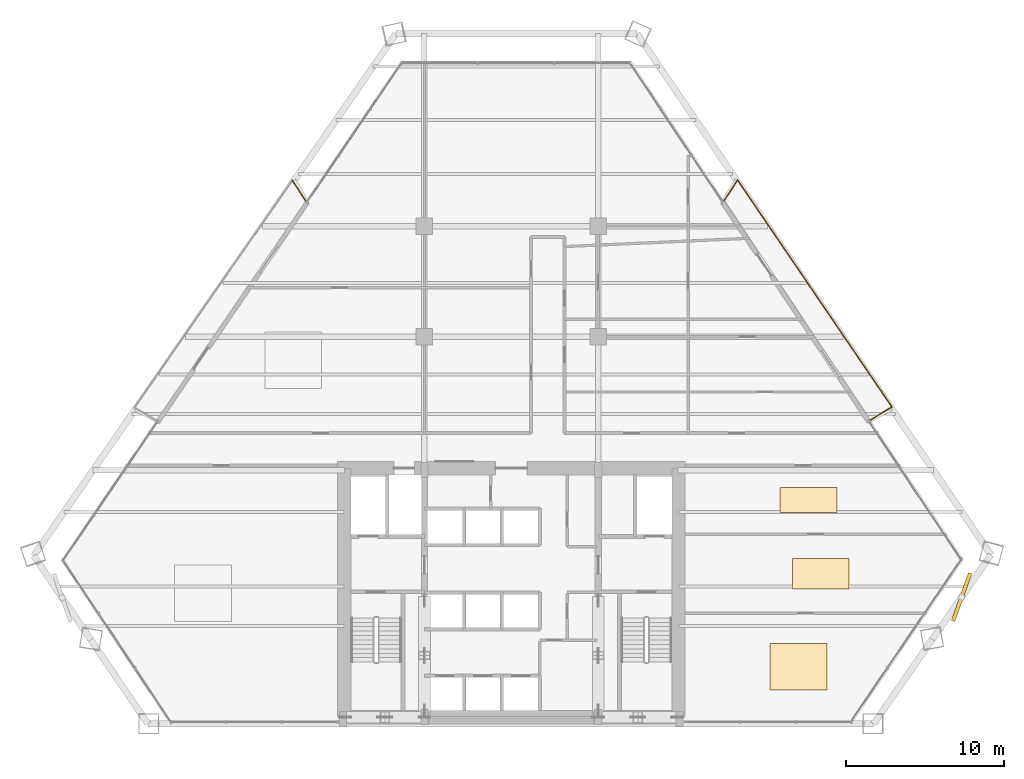
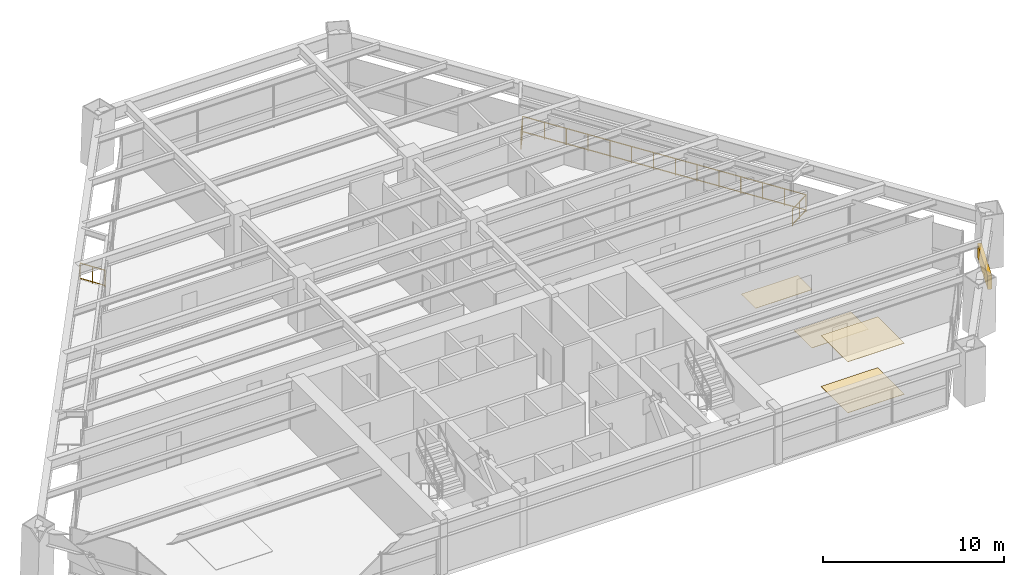
# One storey, part 14 of 14: 4 coverings, 4 railings, 1 shading device.
"""IFC4 building model written with IfcOpenShell, lengths in metres."""

from ifc_helpers import new_model, si_unit, direction, frame, origin, origin_2d, place, context, subcontext, project, spatial, rectangle, extrude, source, transform, mapped, material, layer, layer_set, type_object, type_shapes, element, save


model = new_model("IFC4")

# Units and contexts
model_context = context("Model", 3, precision=1e-05, world=origin(), true_north=direction((0.0, 1.0)))
body_context = subcontext(model_context, "Body", "Model", "MODEL_VIEW")
ifc_project = project(units=[si_unit("LENGTHUNIT", "METRE"), si_unit("AREAUNIT", "SQUARE_METRE"), si_unit("VOLUMEUNIT", "CUBIC_METRE"), si_unit("PLANEANGLEUNIT", "RADIAN"), si_unit("MASSUNIT", "GRAM", prefix="KILO")], contexts=[model_context])

# Site, building, storey
site_placement = place(None, origin())
site = spatial("IfcSite", under=ifc_project, at=site_placement, CompositionType="ELEMENT")
building_placement = place(site_placement, origin())
building = spatial("IfcBuilding", under=site, at=building_placement, Name="Varnakhor Terracotta Tower", CompositionType="ELEMENT")
storey_placement = place(building_placement, frame((0.0, 0.0, 53.39990234375)))
storey = spatial("IfcBuildingStorey", under=building, at=storey_placement, Name="L12", CompositionType="ELEMENT", Elevation=53.39990234375)

# Railings
ifc_material_1 = material(Name="Stainless Steel & Laminated Glass Guardrail", Category="steel")
railing_type = type_object("IfcRailingType", Name="RLG-LOGGIA-GUARD-1150", PredefinedType="GUARDRAIL", material=ifc_material_1)
railing_1_placement = place(storey_placement, frame((13.4619140625, 33.10595703125, 0.0)))
element("IfcRailing", 1, at=railing_1_placement, inside=storey, type_object=railing_type, Name="L12 E Loggia Glass Guard 1", PredefinedType="GUARDRAIL", context=body_context, shape_type="SweptSolid", body=[
    extrude(rectangle(XDim=0.048095703125, YDim=0.048095703125, at=origin_2d()), frame((0.0, 0.0, 1.1259765625), z_axis=(0.547410589215, 0.836864174652, 0.0), x_axis=(-0.836864174652, 0.547410589215, 0.0)), (0.0, 0.0, 1.0), 1.55029296875),
    extrude(rectangle(XDim=0.048095703125, YDim=0.048095703125, at=origin_2d()), frame((0.0, 0.0, 0.10009765625), z_axis=(0.547410589215, 0.836864174652, 0.0), x_axis=(-0.836864174652, 0.547410589215, 0.0)), (0.0, 0.0, 1.0), 1.55029296875),
    extrude(rectangle(XDim=0.0419921875, YDim=0.0419921875, at=origin_2d()), origin(), (0.0, 0.0, 1.0), 1.101806640625),
    extrude(rectangle(XDim=0.0419921875, YDim=0.0419921875, at=origin_2d()), frame((0.42431640625, 0.648681640625, 0.0)), (0.0, 0.0, 1.0), 1.101806640625),
    extrude(rectangle(XDim=0.0419921875, YDim=0.0419921875, at=origin_2d()), frame((0.8486328125, 1.29736328125, 0.0)), (0.0, 0.0, 1.0), 1.101806640625),
])
railing_2_placement = place(storey_placement, frame((14.310546875, 34.4033203125, 0.0)))
element("IfcRailing", 2, at=railing_2_placement, inside=storey, type_object=railing_type, Name="L12 E Loggia Glass Guard 2", PredefinedType="GUARDRAIL", context=body_context, shape_type="SweptSolid", body=[
    extrude(rectangle(XDim=0.048095703125, YDim=0.048095703125, at=origin_2d()), frame((0.0, 0.0, 1.1259765625), z_axis=(0.562802019674, -0.826591729121, 0.0), x_axis=(0.826591729121, 0.562802019674, 0.0)), (0.0, 0.0, 1.0), 17.356201171875),
    extrude(rectangle(XDim=0.048095703125, YDim=0.048095703125, at=origin_2d()), frame((0.0, 0.0, 0.10009765625), z_axis=(0.562802019674, -0.826591729121, 0.0), x_axis=(0.826591729121, 0.562802019674, 0.0)), (0.0, 0.0, 1.0), 17.356201171875),
    extrude(rectangle(XDim=0.0419921875, YDim=0.0419921875, at=origin_2d()), origin(), (0.0, 0.0, 1.0), 1.101806640625),
    extrude(rectangle(XDim=0.0419921875, YDim=0.0419921875, at=origin_2d()), frame((0.75146484375, -1.103515625, 0.0)), (0.0, 0.0, 1.0), 1.101806640625),
    extrude(rectangle(XDim=0.0419921875, YDim=0.0419921875, at=origin_2d()), frame((1.502685546875, -2.20703125, 0.0)), (0.0, 0.0, 1.0), 1.101806640625),
    extrude(rectangle(XDim=0.0419921875, YDim=0.0419921875, at=origin_2d()), frame((2.254150390625, -3.310791015625, 0.0)), (0.0, 0.0, 1.0), 1.101806640625),
    extrude(rectangle(XDim=0.0419921875, YDim=0.0419921875, at=origin_2d()), frame((3.005615234375, -4.414306640625, 0.0)), (0.0, 0.0, 1.0), 1.101806640625),
    extrude(rectangle(XDim=0.0419921875, YDim=0.0419921875, at=origin_2d()), frame((3.7568359375, -5.517822265625, 0.0)), (0.0, 0.0, 1.0), 1.101806640625),
    extrude(rectangle(XDim=0.0419921875, YDim=0.0419921875, at=origin_2d()), frame((4.50830078125, -6.621337890625, 0.0)), (0.0, 0.0, 1.0), 1.101806640625),
    extrude(rectangle(XDim=0.0419921875, YDim=0.0419921875, at=origin_2d()), frame((5.259765625, -7.72509765625, 0.0)), (0.0, 0.0, 1.0), 1.101806640625),
    extrude(rectangle(XDim=0.0419921875, YDim=0.0419921875, at=origin_2d()), frame((6.01123046875, -8.82861328125, 0.0)), (0.0, 0.0, 1.0), 1.101806640625),
    extrude(rectangle(XDim=0.0419921875, YDim=0.0419921875, at=origin_2d()), frame((6.762451171875, -9.93212890625, 0.0)), (0.0, 0.0, 1.0), 1.101806640625),
    extrude(rectangle(XDim=0.0419921875, YDim=0.0419921875, at=origin_2d()), frame((7.513916015625, -11.03564453125, 0.0)), (0.0, 0.0, 1.0), 1.101806640625),
    extrude(rectangle(XDim=0.0419921875, YDim=0.0419921875, at=origin_2d()), frame((8.265380859375, -12.139404296875, 0.0)), (0.0, 0.0, 1.0), 1.101806640625),
    extrude(rectangle(XDim=0.0419921875, YDim=0.0419921875, at=origin_2d()), frame((9.0166015625, -13.242919921875, 0.0)), (0.0, 0.0, 1.0), 1.101806640625),
    extrude(rectangle(XDim=0.0419921875, YDim=0.0419921875, at=origin_2d()), frame((9.76806640625, -14.346435546875, 0.0)), (0.0, 0.0, 1.0), 1.101806640625),
])
railing_3_placement = place(storey_placement, frame((24.07861328125, 20.056884765625, 0.0)))
element("IfcRailing", 3, at=railing_3_placement, inside=storey, type_object=railing_type, Name="L12 E Loggia Glass Guard 3", PredefinedType="GUARDRAIL", context=body_context, shape_type="SweptSolid", body=[
    extrude(rectangle(XDim=0.048095703125, YDim=0.048095703125, at=origin_2d()), frame((0.0, 0.0, 1.1259765625), z_axis=(-0.853546880214, -0.521016048963, 0.0), x_axis=(0.521016048963, -0.853546880214, 0.0)), (0.0, 0.0, 1.0), 1.59326171875),
    extrude(rectangle(XDim=0.048095703125, YDim=0.048095703125, at=origin_2d()), frame((0.0, 0.0, 0.10009765625), z_axis=(-0.853546880214, -0.521016048963, 0.0), x_axis=(0.521016048963, -0.853546880214, 0.0)), (0.0, 0.0, 1.0), 1.59326171875),
    extrude(rectangle(XDim=0.0419921875, YDim=0.0419921875, at=origin_2d()), origin(), (0.0, 0.0, 1.0), 1.101806640625),
    extrude(rectangle(XDim=0.0419921875, YDim=0.0419921875, at=origin_2d()), frame((-0.679931640625, -0.4150390625, 0.0)), (0.0, 0.0, 1.0), 1.101806640625),
    extrude(rectangle(XDim=0.0419921875, YDim=0.0419921875, at=origin_2d()), frame((-1.35986328125, -0.830078125, 0.0)), (0.0, 0.0, 1.0), 1.101806640625),
])
railing_4_placement = place(storey_placement, frame((-13.8623046875, 34.389892578125, 0.0)))
element("IfcRailing", 4, at=railing_4_placement, inside=storey, type_object=railing_type, Name="L12 W Loggia Glass Guard 3", PredefinedType="GUARDRAIL", context=body_context, shape_type="SweptSolid", body=[
    extrude(rectangle(XDim=0.048095703125, YDim=0.048095703125, at=origin_2d()), frame((0.0, 0.0, 1.1259765625), z_axis=(0.547923688441, -0.836528320887, 0.0), x_axis=(0.836528320887, 0.547923688441, 0.0)), (0.0, 0.0, 1.0), 1.550537109375),
    extrude(rectangle(XDim=0.048095703125, YDim=0.048095703125, at=origin_2d()), frame((0.0, 0.0, 0.10009765625), z_axis=(0.547923688441, -0.836528320887, 0.0), x_axis=(0.836528320887, 0.547923688441, 0.0)), (0.0, 0.0, 1.0), 1.550537109375),
    extrude(rectangle(XDim=0.0419921875, YDim=0.0419921875, at=origin_2d()), origin(), (0.0, 0.0, 1.0), 1.101806640625),
    extrude(rectangle(XDim=0.0419921875, YDim=0.0419921875, at=origin_2d()), frame((0.4248046875, -0.6484375, 0.0)), (0.0, 0.0, 1.0), 1.101806640625),
    extrude(rectangle(XDim=0.0419921875, YDim=0.0419921875, at=origin_2d()), frame((0.849609375, -1.297119140625, 0.0)), (0.0, 0.0, 1.0), 1.101806640625),
])

# Shading device
ifc_material_2 = material(Name="Extruded Architectural Terracotta Screen", Category="masonry")
shading_device_type = type_object("IfcShadingDeviceType", Name="TERRACOTTA SOLAR SCREEN E", PredefinedType="USERDEFINED", material=ifc_material_2)
shared_shape_1 = source(origin(), body_context, "Body", "SweptSolid", [
    extrude(rectangle(XDim=3.199951171875, YDim=0.239990234375, at=origin_2d()), origin(), (0.0, 0.0, 1.0), 0.919921875),
])
type_shapes(shading_device_type, [shared_shape_1])
shading_device_placement = place(storey_placement, frame((28.48779296875, 8.02197265625, 1.6181640625), z_axis=(0.0, 0.0, 1.0), x_axis=(0.338031701823, 0.941134723917, 0.0)))
element("IfcShadingDevice", 5, at=shading_device_placement, inside=storey, type_object=shading_device_type, Name="L12 E Terracotta Solar Screen", ObjectType="SCREEN", PredefinedType="USERDEFINED", context=body_context, shape_type="MappedRepresentation", body=[
    mapped(shared_shape_1, transform((0.0, 0.0, 0.0), scale=1.0)),
])

# Coverings
ifc_material_3 = material(Name="Honed Riyadh Limestone Flooring", Category="masonry")
ifc_layer_1 = layer(ifc_material_3, 0.030029296875, Name="Honed Riyadh Limestone Flooring")
ifc_layer_set_1 = layer_set([ifc_layer_1], Name="Honed Riyadh Limestone Flooring")
covering_type_1 = type_object("IfcCoveringType", Name="COV-FLOOR-LIMESTONE", PredefinedType="FLOORING", material=ifc_layer_set_1)
shared_shape_2 = source(origin(), body_context, "Body", "SweptSolid", [
    extrude(rectangle(XDim=3.60009765625, YDim=2.93896484375, at=origin_2d()), origin(), (0.0, 0.0, 1.0), 0.02001953125),
])
covering_1_placement = place(storey_placement, frame((18.175048828125, 3.60205078125, 0.0), z_axis=(0.0, 0.0, 1.0), x_axis=(1.0, 0.0, 0.0)))
element("IfcCovering", 6, at=covering_1_placement, inside=storey, type_object=covering_type_1, Name="L12 Honed Stone Flooring 1", PredefinedType="FLOORING", context=body_context, shape_type="MappedRepresentation", body=[
    mapped(shared_shape_2, transform((0.0, 0.0, 0.0), scale=1.0)),
])
ifc_material_4 = material(Name="Perforated Acoustic Mineral-Fibre Ceiling", Category="gypsum")
ifc_layer_2 = layer(ifc_material_4, 0.02490234375, Name="Perforated Acoustic Mineral-Fibre Ceiling")
ifc_layer_set_2 = layer_set([ifc_layer_2], Name="Perforated Acoustic Mineral-Fibre Ceiling")
covering_type_2 = type_object("IfcCoveringType", Name="COV-CEILING-ACOUSTIC", PredefinedType="CEILING", material=ifc_layer_set_2)
shared_shape_3 = source(origin(), body_context, "Body", "SweptSolid", [
    extrude(rectangle(XDim=3.60009765625, YDim=2.93896484375, at=origin_2d()), origin(), (0.0, 0.0, 1.0), 0.02392578125),
])
covering_2_placement = place(storey_placement, frame((18.175048828125, 3.60205078125, 3.426025390625), z_axis=(0.0, 0.0, 1.0), x_axis=(1.0, 0.0, 0.0)))
element("IfcCovering", 7, at=covering_2_placement, inside=storey, type_object=covering_type_2, Name="L12 Acoustic Ceiling Panel 1", PredefinedType="CEILING", context=body_context, shape_type="MappedRepresentation", body=[
    mapped(shared_shape_3, transform((0.0, 0.0, 0.0), scale=1.0)),
])
shared_shape_4 = source(origin(), body_context, "Body", "SweptSolid", [
    extrude(rectangle(XDim=3.60009765625, YDim=1.950927734375, at=origin_2d()), origin(), (0.0, 0.0, 1.0), 0.02001953125),
])
covering_3_placement = place(storey_placement, frame((19.5791015625, 9.5, 0.0), z_axis=(0.0, 0.0, 1.0), x_axis=(1.0, 0.0, 0.0)))
element("IfcCovering", 8, at=covering_3_placement, inside=storey, type_object=covering_type_1, Name="L12 Honed Stone Flooring 3", PredefinedType="FLOORING", context=body_context, shape_type="MappedRepresentation", body=[
    mapped(shared_shape_4, transform((0.0, 0.0, 0.0), scale=1.0)),
])
shared_shape_5 = source(origin(), body_context, "Body", "SweptSolid", [
    extrude(rectangle(XDim=3.60009765625, YDim=1.58203125, at=origin_2d()), origin(), (0.0, 0.0, 1.0), 0.02001953125),
])
covering_4_placement = place(storey_placement, frame((18.802978515625, 14.1640625, 0.0), z_axis=(0.0, 0.0, 1.0), x_axis=(1.0, 0.0, 0.0)))
element("IfcCovering", 9, at=covering_4_placement, inside=storey, type_object=covering_type_1, Name="L12 Honed Stone Flooring 4", PredefinedType="FLOORING", context=body_context, shape_type="MappedRepresentation", body=[
    mapped(shared_shape_5, transform((0.0, 0.0, 0.0), scale=1.0)),
])

save(model, "model.ifc")
